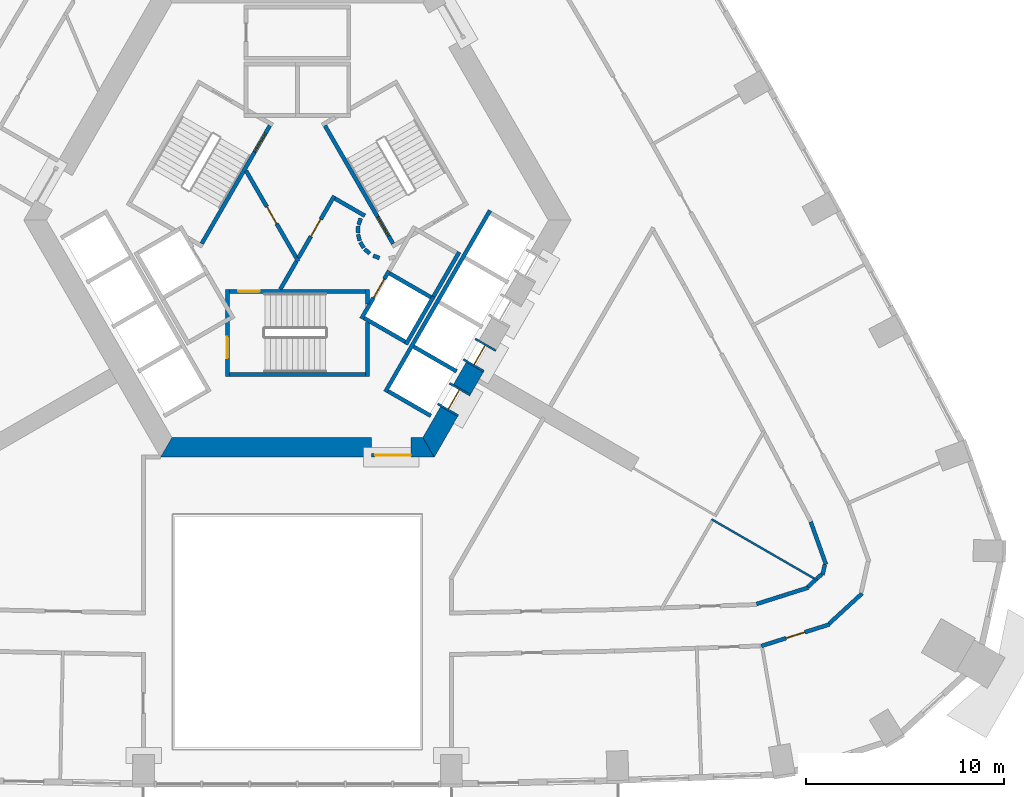
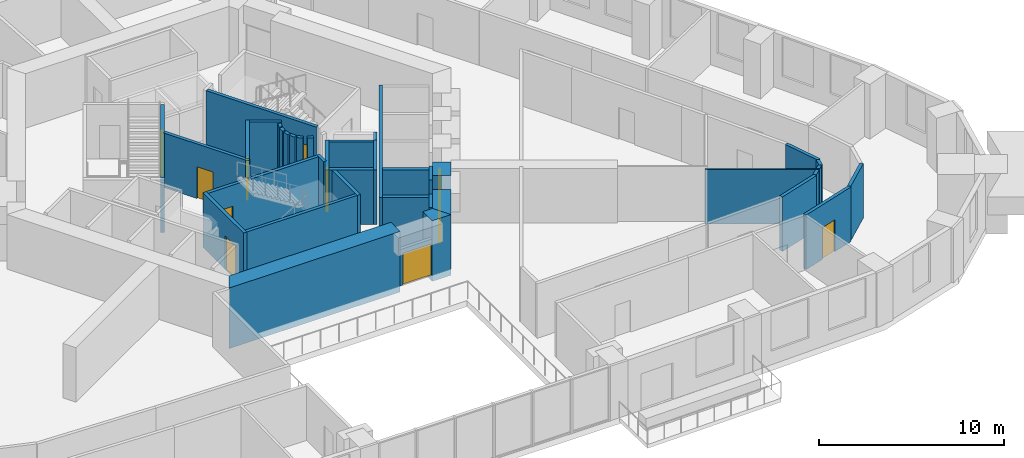
# One storey, part 6 of 14: 40 walls, 11 doors, 11 openings.
"""IFC4 building model written with IfcOpenShell, lengths in metres."""

import ifcopenshell
import ifcopenshell.guid

model = None  # the IFC model being written
_history = None  # IfcOwnerHistory: only IFC2X3 demands one
_inside = {}  # id of a spatial element -> (the spatial element, [elements in it])
_under = {}  # id of a project, library or spatial element -> (it, [spatial elements below it])
_declared = {}  # id of a project -> (the project, [libraries it declares])
_typed = {}  # id of a type object -> (the type object, [elements of that type])
_made_of = {}  # id of a material, layer set ... -> (it, [elements and type objects made of it])


def new_model(schema):
    """Start an empty IFC model of exactly this schema.

    Asked for "IFC4X3", IfcOpenShell would pick the latest addendum, in which some entities
    have other attributes; the version numbers below select the first issue.
    IFC2X3 requires an IfcOwnerHistory on every rooted entity: one is made here for all.
    """
    global model, _history
    if schema == "IFC4X3":
        model = ifcopenshell.file(schema_version=(4, 3, 0, 0))
    else:
        model = ifcopenshell.file(schema=schema)
    _inside.clear()
    _under.clear()
    _declared.clear()
    _typed.clear()
    _made_of.clear()
    _history = None
    if model.schema == "IFC2X3":
        org = make("IfcOrganization", Name="unknown")
        user = make(
            "IfcPersonAndOrganization",
            ThePerson=make("IfcPerson", FamilyName="unknown"),
            TheOrganization=org,
        )
        app = make(
            "IfcApplication",
            ApplicationDeveloper=org,
            Version="unknown",
            ApplicationFullName="unknown",
            ApplicationIdentifier="unknown",
        )
        _history = make(
            "IfcOwnerHistory",
            OwningUser=user,
            OwningApplication=app,
            ChangeAction="ADDED",
            CreationDate=0,
        )
    return model


def make(cls, **values):
    """One entity of the class cls with the attributes given. An attribute that is None is left unset."""
    return model.create_entity(
        cls, **{name: value for name, value in values.items() if value is not None}
    )


def rooted(cls, **values):
    """An entity with a GlobalId (a new one), such as an element, a storey or a relation."""
    return make(cls, GlobalId=ifcopenshell.guid.new(), OwnerHistory=_history, **values)


def si_unit(unit_type, name, prefix=None):
    """IfcSIUnit, for example si_unit("LENGTHUNIT", "METRE", prefix="MILLI")."""
    return make("IfcSIUnit", UnitType=unit_type, Prefix=prefix, Name=name)


def assignment(units):
    """IfcUnitAssignment: the units of a project."""
    return None if units is None else make("IfcUnitAssignment", Units=units)


def point(xyz):
    """IfcCartesianPoint."""
    return None if xyz is None else make("IfcCartesianPoint", Coordinates=xyz)


def direction(xyz):
    """IfcDirection."""
    return None if xyz is None else make("IfcDirection", DirectionRatios=xyz)


def frame(location, z_axis=None, x_axis=None):
    """IfcAxis2Placement3D, a coordinate frame: its origin and axes. An axis left out is left unset."""
    return make(
        "IfcAxis2Placement3D",
        Location=point(location),
        Axis=direction(z_axis),
        RefDirection=direction(x_axis),
    )


def frame_2d(location, x_axis=None):
    """IfcAxis2Placement2D, a coordinate frame in the plane: its origin and x axis."""
    return make(
        "IfcAxis2Placement2D", Location=point(location), RefDirection=direction(x_axis)
    )


def origin():
    """The frame at (0, 0, 0) with its axes left unset."""
    return frame((0.0, 0.0, 0.0))


def place(relative_to, where):
    """IfcLocalPlacement: puts the frame where relative to a parent placement (None: the world)."""
    return make(
        "IfcLocalPlacement", PlacementRelTo=relative_to, RelativePlacement=where
    )


def context(
    kind, dimensions, precision=None, world=None, true_north=None, identifier=None
):
    """IfcGeometricRepresentationContext, for example the 3D "Model" context."""
    return make(
        "IfcGeometricRepresentationContext",
        ContextIdentifier=identifier,
        ContextType=kind,
        CoordinateSpaceDimension=dimensions,
        Precision=precision,
        WorldCoordinateSystem=world,
        TrueNorth=true_north,
    )


def subcontext(parent, identifier, kind, view, scale=None):
    """IfcGeometricRepresentationSubContext, for example "Body" below "Model"."""
    return make(
        "IfcGeometricRepresentationSubContext",
        ContextIdentifier=identifier,
        ContextType=kind,
        ParentContext=parent,
        TargetScale=scale,
        TargetView=view,
    )


def project(units=None, contexts=None):
    """IfcProject with its units and contexts."""
    return rooted(
        "IfcProject",
        Name="project",
        RepresentationContexts=contexts,
        UnitsInContext=assignment(units),
    )


def spatial(cls, under=None, at=None, **own):
    """A site, building, storey or space (cls), placed at a placement, below another one or the project."""
    s = rooted(cls, ObjectPlacement=at, **own)
    if under is not None:
        _under.setdefault(under.id(), (under, []))[1].append(s)
    return s


def polyline(points):
    """IfcPolyline through the points."""
    return make("IfcPolyline", Points=[point(p) for p in points])


def profile(cls, at=None, kind="AREA", **sizes):
    """A parametric profile (cls). Its sizes go by their IFC names, for example OverallWidth=200.0."""
    return make(cls, ProfileType=kind, Position=at, **sizes)


def rectangle(**sizes):
    """IfcRectangleProfileDef."""
    return profile("IfcRectangleProfileDef", **sizes)


def outline(outer, holes=None, kind="AREA"):
    """IfcArbitraryClosedProfileDef: a profile drawn as a closed curve; with holes, ...WithVoids."""
    if holes is None:
        return make("IfcArbitraryClosedProfileDef", ProfileType=kind, OuterCurve=outer)
    return make(
        "IfcArbitraryProfileDefWithVoids",
        ProfileType=kind,
        OuterCurve=outer,
        InnerCurves=holes,
    )


def extrude(swept, where, along, depth):
    """IfcExtrudedAreaSolid: the profile swept, set in the frame where, extruded along a direction by depth."""
    return make(
        "IfcExtrudedAreaSolid",
        SweptArea=swept,
        Position=where,
        ExtrudedDirection=direction(along),
        Depth=depth,
    )


def shape(context_of_items, identifier, shape_type, items):
    """IfcShapeRepresentation: the items that make up one representation, for example the "Body"."""
    return make(
        "IfcShapeRepresentation",
        ContextOfItems=context_of_items,
        RepresentationIdentifier=identifier,
        RepresentationType=shape_type,
        Items=items,
    )


def material(Name=None, Category=None):
    """IfcMaterial."""
    return make("IfcMaterial", Name=Name, Category=Category)


def layer(
    of_material, thickness, ventilated=None, Name=None, Category=None, Priority=None
):
    """IfcMaterialLayer: one layer of a wall or slab, of a material (None: an air gap)."""
    return make(
        "IfcMaterialLayer",
        Material=of_material,
        LayerThickness=thickness,
        IsVentilated=ventilated,
        Name=Name,
        Category=Category,
        Priority=Priority,
    )


def layer_set(layers, Name=None):
    """IfcMaterialLayerSet."""
    return make("IfcMaterialLayerSet", MaterialLayers=layers, LayerSetName=Name)


def made_of(thing, what):
    """Note that an element or type object is made of a material, layer set ...; save() writes the relation."""
    if what is not None:
        _made_of.setdefault(what.id(), (what, []))[1].append(thing)
    return thing


def type_object(cls, material=None, **own):
    """A type object (cls), such as IfcWallType, which elements share."""
    return made_of(rooted(cls, **own), material)


def element(
    cls,
    number,
    at=None,
    inside=None,
    cuts=None,
    type_object=None,
    material=None,
    context=None,
    identifier="Body",
    shape_type=None,
    held_by="IfcProductDefinitionShape",
    body=None,
    shapes=None,
    **own,
):
    """One element of the class cls, such as IfcWall. Its Tag is "e" and its number.

    at: its placement. inside: the storey or other place that contains it. cuts: it is an
    opening in that element (IfcRelVoidsElement). A single representation is given by context,
    identifier, shape_type and body (its items); several are given by shapes. held_by: the class
    of the entity that holds the representations. save() writes the other relations.
    """
    e = rooted(cls, Tag="e%d" % number, ObjectPlacement=at, **own)
    if body is not None:
        shapes = [shape(context, identifier, shape_type, body)]
    if shapes is not None:
        e.Representation = make(held_by, Representations=shapes)
    if inside is not None:
        _inside.setdefault(inside.id(), (inside, []))[1].append(e)
    if cuts is not None:
        rooted(
            "IfcRelVoidsElement", RelatingBuildingElement=cuts, RelatedOpeningElement=e
        )
    if type_object is not None:
        _typed.setdefault(type_object.id(), (type_object, []))[1].append(e)
    return made_of(e, material)


def fill(opening, filler):
    """IfcRelFillsElement: the door or window that sits in an opening."""
    return rooted(
        "IfcRelFillsElement",
        RelatingOpeningElement=opening,
        RelatedBuildingElement=filler,
    )


def aggregate(whole, parts):
    """IfcRelAggregates: a whole, such as a stair, and the parts it consists of."""
    return rooted("IfcRelAggregates", RelatingObject=whole, RelatedObjects=parts)


def save(model, path):
    """Write the relations noted so far, then the file.

    IfcRelAggregates (storeys below a building ...), IfcRelContainedInSpatialStructure (elements
    in a storey), IfcRelDefinesByType, IfcRelAssociatesMaterial and IfcRelDeclares: one each for
    every whole, place, type object, material and project.
    """
    for whole, parts in _under.values():
        aggregate(whole, parts)
    for where, things in _inside.values():
        rooted(
            "IfcRelContainedInSpatialStructure",
            RelatedElements=things,
            RelatingStructure=where,
        )
    for kind, things in _typed.values():
        rooted("IfcRelDefinesByType", RelatedObjects=things, RelatingType=kind)
    for what, things in _made_of.values():
        rooted("IfcRelAssociatesMaterial", RelatedObjects=things, RelatingMaterial=what)
    for by, libraries in _declared.values():
        rooted("IfcRelDeclares", RelatingContext=by, RelatedDefinitions=libraries)
    model.write(path)


model = new_model("IFC4")

# Units and contexts
model_context = context("Model", 3, precision=1e-05, world=origin(), true_north=direction((0.0, 1.0)))
body_context = subcontext(model_context, "Body", "Model", "MODEL_VIEW")
ifc_project = project(units=[si_unit("LENGTHUNIT", "METRE"), si_unit("AREAUNIT", "SQUARE_METRE"), si_unit("VOLUMEUNIT", "CUBIC_METRE"), si_unit("PLANEANGLEUNIT", "RADIAN"), si_unit("MASSUNIT", "GRAM", prefix="KILO")], contexts=[model_context])

# Site, building, storey
site_placement = place(None, origin())
site = spatial("IfcSite", under=ifc_project, at=site_placement, CompositionType="ELEMENT")
building_placement = place(site_placement, origin())
building = spatial("IfcBuilding", under=site, at=building_placement, Name="Entoto Arch Interchange Tower", CompositionType="ELEMENT")
storey_placement = place(building_placement, frame((0.0, 0.0, 180.199951171875)))
storey = spatial("IfcBuildingStorey", under=building, at=storey_placement, Name="L40", CompositionType="ELEMENT", Elevation=180.199951171875)

# Wall, opening, door
ifc_material_1 = material(Name="Reinforced concrete C40/50", Category="concrete")
ifc_layer_1 = layer(ifc_material_1, 0.199951171875)
ifc_layer_set_1 = layer_set([ifc_layer_1], Name="Reinforced concrete C40/50")
wall_type_1 = type_object("IfcWallType", Name="CORE GAP INFILL WALL", PredefinedType="PARTITIONING", material=ifc_layer_set_1)
wall_1_placement = place(storey_placement, frame((3.75, -9.39990234375, 0.0), z_axis=(0.0, 0.0, 1.0), x_axis=(1.0, 0.0, 0.0)))
wall_1 = element("IfcWall", 1, at=wall_1_placement, inside=storey, type_object=wall_type_1, Name="wall:L40:gap1", PredefinedType="PARTITIONING", context=body_context, shape_type="SweptSolid", body=[
    extrude(rectangle(XDim=2.0, YDim=0.199951171875, at=frame_2d((1.0, 0.0))), origin(), (0.0, 0.0, 1.0), 2.400146484375),
])
opening_1_placement = place(wall_1_placement, frame((0.18994140625, 0.0, 0.0)))
opening_1 = element("IfcOpeningElement", 2, at=opening_1_placement, cuts=wall_1, Name="Opening L40-D91", PredefinedType="OPENING", context=body_context, shape_type="SweptSolid", body=[
    extrude(rectangle(XDim=1.800048828125, YDim=2.10009765625, at=frame_2d((0.89990234375, 1.050048828125))), frame((0.0, 0.10986328125, 0.0), z_axis=(0.0, -1.0, 0.0), x_axis=(1.0, 0.0, 0.0)), (0.0, 0.0, 1.0), 0.219970703125),
])
ifc_material_2 = material(Name="Fire-rated Steel S235 door and frame", Category="steel")
door_type_1 = type_object("IfcDoorType", Name="DOOR FD-18 1800x2100", OperationType="DOUBLE_DOOR_SINGLE_SWING", PredefinedType="DOOR", material=ifc_material_2)
door_1_placement = place(opening_1_placement, origin())
door_1 = element("IfcDoor", 3, at=door_1_placement, inside=storey, type_object=door_type_1, Name="door:L40:gap1", OperationType="DOUBLE_DOOR_SINGLE_SWING", OverallHeight=2.10009765625, OverallWidth=1.800048828125, PredefinedType="DOOR", context=body_context, shape_type="SweptSolid", body=[
    extrude(rectangle(XDim=1.800048828125, YDim=2.10009765625, at=frame_2d((0.89990234375, 1.050048828125))), frame((0.0, 0.02490234375, 0.0), z_axis=(0.0, -1.0, 0.0), x_axis=(1.0, 0.0, 0.0)), (0.0, 0.0, 1.0), 0.050048828125),
])
fill(opening_1, door_1)

# Walls
ifc_material_3 = material(Name="Concrete C50/60", Category="concrete")
ifc_layer_2 = layer(ifc_material_3, 1.0)
ifc_layer_set_2 = layer_set([ifc_layer_2], Name="Concrete C50/60")
wall_type_2 = type_object("IfcWallType", Name="Core wall 1000 C50/60", PredefinedType="SHEAR", material=ifc_layer_set_2)
wall_2_placement = place(storey_placement, frame((0.0, 0.0, -0.39990234375)))
element("IfcWall", 4, at=wall_2_placement, inside=storey, type_object=wall_type_2, Name="Core wall S L40", PredefinedType="SHEAR", context=body_context, shape_type="SweptSolid", body=[
    extrude(outline(polyline([(3.75, -9.5), (3.75, -8.5), (-6.35107421875, -8.5), (-6.927978515625, -9.5), (3.75, -9.5)])), origin(), (0.0, 0.0, 1.0), 4.0),
])
wall_3_placement = place(storey_placement, frame((0.0, 0.0, -0.39990234375)))
element("IfcWall", 5, at=wall_3_placement, inside=storey, type_object=wall_type_2, Name="Core wall S L40", PredefinedType="SHEAR", context=body_context, shape_type="SweptSolid", body=[
    extrude(outline(polyline([(5.75, -8.5), (5.75, -9.5), (6.927978515625, -9.5), (6.35107421875, -8.5), (5.75, -8.5)])), origin(), (0.0, 0.0, 1.0), 4.0),
])
wall_4_placement = place(storey_placement, frame((0.0, 0.0, -0.39990234375)))
element("IfcWall", 6, at=wall_4_placement, inside=storey, type_object=wall_type_2, Name="Core wall SE L40", PredefinedType="SHEAR", context=body_context, shape_type="SweptSolid", body=[
    extrude(outline(polyline([(8.116943359375, -7.43994140625), (7.251953125, -6.93994140625), (6.35107421875, -8.5), (6.927978515625, -9.5), (8.116943359375, -7.43994140625)])), origin(), (0.0, 0.0, 1.0), 4.0),
])
wall_5_placement = place(storey_placement, frame((0.0, 0.0, -0.39990234375)))
element("IfcWall", 7, at=wall_5_placement, inside=storey, type_object=wall_type_2, Name="Core wall SE L40", PredefinedType="SHEAR", context=body_context, shape_type="SweptSolid", body=[
    extrude(outline(polyline([(9.4169921875, -5.18896484375), (8.551025390625, -4.68896484375), (7.902099609375, -5.81396484375), (8.76708984375, -6.31396484375), (9.4169921875, -5.18896484375)])), origin(), (0.0, 0.0, 1.0), 4.0),
])

# Wall, opening, door
ifc_material_4 = material(Name="Concrete C40/50", Category="concrete")
ifc_layer_3 = layer(ifc_material_4, 1.199951171875)
ifc_layer_set_3 = layer_set([ifc_layer_3], Name="Concrete C40/50")
wall_type_3 = type_object("IfcWallType", Name="LIFT LANDING INFILL WALL", PredefinedType="STANDARD", material=ifc_layer_set_3)
wall_6_placement = place(storey_placement, frame((7.597900390625, -7.139892578125, 0.0), z_axis=(0.0, 0.0, 1.0), x_axis=(0.500362116554, 0.865816234728, 0.0)))
wall_6 = element("IfcWall", 8, at=wall_6_placement, inside=storey, type_object=wall_type_3, Name="Lift landing infill wall LR5 L40", PredefinedType="STANDARD", context=body_context, shape_type="SweptSolid", body=[
    extrude(rectangle(XDim=1.29931640625, YDim=1.199951171875, at=frame_2d((0.649658203125, 0.0))), origin(), (0.0, 0.0, 1.0), 2.400146484375),
])
opening_2_placement = place(wall_6_placement, frame((0.10009765625, 0.0, 0.0)))
opening_2 = element("IfcOpeningElement", 9, at=opening_2_placement, cuts=wall_6, Name="Opening LD-LR5-L40", PredefinedType="OPENING", context=body_context, shape_type="SweptSolid", body=[
    extrude(rectangle(XDim=1.10009765625, YDim=2.300048828125, at=frame_2d((0.550048828125, 1.14990234375))), frame((0.0, 0.60986328125, 0.0), z_axis=(0.0, -1.0, 0.0), x_axis=(1.0, 0.0, 0.0)), (0.0, 0.0, 1.0), 1.219970703125),
])
ifc_material_5 = material(Name="Stainless steel 1.4301 panels", Category="steel")
door_type_2 = type_object("IfcDoorType", Name="LIFT LANDING DOOR LD2 1100x2300", OperationType="SLIDING_TO_LEFT", PredefinedType="DOOR", material=ifc_material_5)
door_2_placement = place(opening_2_placement, origin())
door_2 = element("IfcDoor", 10, at=door_2_placement, inside=storey, type_object=door_type_2, Name="Lift landing door LR5 L40", OperationType="SLIDING_TO_LEFT", OverallHeight=2.300048828125, OverallWidth=1.10009765625, PredefinedType="DOOR", context=body_context, shape_type="SweptSolid", body=[
    extrude(rectangle(XDim=1.10009765625, YDim=2.300048828125, at=frame_2d((0.550048828125, 1.14990234375))), frame((0.0, 0.02490234375, 0.0), z_axis=(0.0, -1.0, 0.0), x_axis=(1.0, 0.0, 0.0)), (0.0, 0.0, 1.0), 0.050048828125),
])
fill(opening_2, door_2)

wall_7_placement = place(storey_placement, frame((8.89794921875, -4.888916015625, 0.0), z_axis=(0.0, 0.0, 1.0), x_axis=(0.500036693733, 0.866004217611, 0.0)))
wall_7 = element("IfcWall", 11, at=wall_7_placement, inside=storey, type_object=wall_type_3, Name="Lift landing infill wall LR6 L40", PredefinedType="STANDARD", context=body_context, shape_type="SweptSolid", body=[
    extrude(rectangle(XDim=1.30029296875, YDim=1.199951171875, at=frame_2d((0.650146484375, 0.0))), origin(), (0.0, 0.0, 1.0), 2.400146484375),
])
opening_3_placement = place(wall_7_placement, frame((0.10009765625, 0.0, 0.0)))
opening_3 = element("IfcOpeningElement", 12, at=opening_3_placement, cuts=wall_7, Name="Opening LD-LR6-L40", PredefinedType="OPENING", context=body_context, shape_type="SweptSolid", body=[
    extrude(rectangle(XDim=1.10009765625, YDim=2.300048828125, at=frame_2d((0.550048828125, 1.14990234375))), frame((0.0, 0.60986328125, 0.0), z_axis=(0.0, -1.0, 0.0), x_axis=(1.0, 0.0, 0.0)), (0.0, 0.0, 1.0), 1.219970703125),
])
door_3_placement = place(opening_3_placement, origin())
door_3 = element("IfcDoor", 13, at=door_3_placement, inside=storey, type_object=door_type_2, Name="Lift landing door LR6 L40", OperationType="SLIDING_TO_LEFT", OverallHeight=2.300048828125, OverallWidth=1.10009765625, PredefinedType="DOOR", context=body_context, shape_type="SweptSolid", body=[
    extrude(rectangle(XDim=1.10009765625, YDim=2.300048828125, at=frame_2d((0.550048828125, 1.14990234375))), frame((0.0, 0.02490234375, 0.0), z_axis=(0.0, -1.0, 0.0), x_axis=(1.0, 0.0, 0.0)), (0.0, 0.0, 1.0), 0.050048828125),
])
fill(opening_3, door_3)

ifc_layer_4 = layer(ifc_material_4, 0.199951171875)
ifc_layer_set_4 = layer_set([ifc_layer_4], Name="Concrete C40/50")
wall_type_4 = type_object("IfcWallType", Name="LIFT SHAFT WALL 200", PredefinedType="STANDARD", material=ifc_layer_set_4)
wall_8_placement = place(storey_placement, frame((3.239990234375, -2.488037109375, 0.0), z_axis=(0.0, 0.0, 1.0), x_axis=(0.49994636267, 0.866056369097, 0.0)))
wall_8 = element("IfcWall", 14, at=wall_8_placement, inside=storey, type_object=wall_type_4, Name="Shaft wall SE1 front", PredefinedType="STANDARD", context=body_context, shape_type="SweptSolid", body=[
    extrude(rectangle(XDim=2.800048828125, YDim=0.199951171875, at=frame_2d((1.39990234375, 0.0))), origin(), (0.0, 0.0, 1.0), 3.60009765625),
])
opening_4_placement = place(wall_8_placement, frame((1.22509765625, 0.0, 0.0)))
opening_4 = element("IfcOpeningElement", 15, at=opening_4_placement, cuts=wall_8, Name="Opening LD-FF1-L40", PredefinedType="OPENING", context=body_context, shape_type="SweptSolid", body=[
    extrude(rectangle(XDim=1.10009765625, YDim=2.10009765625, at=frame_2d((0.550048828125, 1.050048828125))), frame((0.0, 0.10986328125, 0.0), z_axis=(0.0, -1.0, 0.0), x_axis=(1.0, 0.0, 0.0)), (0.0, 0.0, 1.0), 0.219970703125),
])
door_type_3 = type_object("IfcDoorType", Name="LIFT LANDING DOOR LD1 1100x2100", OperationType="SLIDING_TO_LEFT", PredefinedType="DOOR", material=ifc_material_5)
door_4_placement = place(opening_4_placement, origin())
door_4 = element("IfcDoor", 16, at=door_4_placement, inside=storey, type_object=door_type_3, Name="Lift landing door FF1 L40", OperationType="SLIDING_TO_LEFT", OverallHeight=2.10009765625, OverallWidth=1.10009765625, PredefinedType="DOOR", context=body_context, shape_type="SweptSolid", body=[
    extrude(rectangle(XDim=1.10009765625, YDim=2.10009765625, at=frame_2d((0.550048828125, 1.050048828125))), frame((0.0, 0.02490234375, 0.0), z_axis=(0.0, -1.0, 0.0), x_axis=(1.0, 0.0, 0.0)), (0.0, 0.0, 1.0), 0.050048828125),
])
fill(opening_4, door_4)

# Walls
wall_9_placement = place(storey_placement, frame((5.491943359375, -3.7880859375, 0.0), z_axis=(0.0, 0.0, 1.0), x_axis=(0.500011755427, 0.866018616679, 0.0)))
element("IfcWall", 17, at=wall_9_placement, inside=storey, type_object=wall_type_4, Name="Shaft wall SE1 back", PredefinedType="STANDARD", context=body_context, shape_type="SweptSolid", body=[
    extrude(rectangle(XDim=2.80029296875, YDim=0.199951171875, at=frame_2d((1.400146484375, 0.0))), origin(), (0.0, 0.0, 1.0), 3.60009765625),
])
wall_10_placement = place(storey_placement, frame((3.376953125, -2.451904296875, 0.0), z_axis=(0.0, 0.0, 1.0), x_axis=(0.865955154139, -0.50012165622, 0.0)))
element("IfcWall", 18, at=wall_10_placement, inside=storey, type_object=wall_type_4, Name="Shaft wall SE1 cross 1", PredefinedType="STANDARD", context=body_context, shape_type="SweptSolid", body=[
    extrude(rectangle(XDim=2.39990234375, YDim=0.199951171875, at=frame_2d((1.199951171875, 0.0))), origin(), (0.0, 0.0, 1.0), 3.60009765625),
])
wall_11_placement = place(storey_placement, frame((4.677001953125, -0.199951171875, 0.0), z_axis=(0.0, 0.0, 1.0), x_axis=(0.865973769406, -0.500089422704, 0.0)))
element("IfcWall", 19, at=wall_11_placement, inside=storey, type_object=wall_type_4, Name="Shaft wall SE1 cross 2", PredefinedType="STANDARD", context=body_context, shape_type="SweptSolid", body=[
    extrude(rectangle(XDim=2.3994140625, YDim=0.199951171875, at=frame_2d((1.19970703125, 0.0))), origin(), (0.0, 0.0, 1.0), 3.60009765625),
])
wall_12_placement = place(storey_placement, frame((4.450927734375, -6.18994140625, 0.0), z_axis=(0.0, 0.0, 1.0), x_axis=(0.50000090737, 0.866024879913, 0.0)))
element("IfcWall", 20, at=wall_12_placement, inside=storey, type_object=wall_type_4, Name="Shaft wall SE3 front", PredefinedType="STANDARD", context=body_context, shape_type="SweptSolid", body=[
    extrude(rectangle(XDim=10.60009765625, YDim=0.199951171875, at=frame_2d((5.300048828125, 0.0))), origin(), (0.0, 0.0, 1.0), 3.60009765625),
])
for number, where, z_axis, x_axis, name in (
    (21, (4.587890625, -6.153076171875, 0.0), (0.0, 0.0, 1.0), (0.866022959057, -0.500004234368, 0.0), "Shaft wall SE3 cross 1"),
    (22, (5.887939453125, -3.902099609375, 0.0), (0.0, 0.0, 1.0), (0.866022959057, -0.500004234368, 0.0), "Shaft wall SE3 cross 2"),
):
    element("IfcWall", number, at=place(storey_placement, frame(where, z_axis=z_axis, x_axis=x_axis)), inside=storey, type_object=wall_type_4, Name=name, PredefinedType="STANDARD", context=body_context, shape_type="SweptSolid", body=[
        extrude(rectangle(XDim=2.5, YDim=0.199951171875, at=frame_2d((1.25, 0.0))), origin(), (0.0, 0.0, 1.0), 3.60009765625),
    ])
wall_13_placement = place(storey_placement, frame((6.7919921875, -1.537109375, 0.0), z_axis=(0.0, 0.0, 1.0), x_axis=(0.49994636267, 0.866056369097, 0.0)))
element("IfcWall", 23, at=wall_13_placement, inside=storey, type_object=wall_type_4, Name="Pit wall HR3 2", PredefinedType="STANDARD", context=body_context, shape_type="SweptSolid", body=[
    extrude(rectangle(XDim=2.800048828125, YDim=0.199951171875, at=frame_2d((1.39990234375, 0.0))), origin(), (0.0, 0.0, 1.0), 2.300048828125),
])
ifc_material_6 = material(Name="Gypsum board partition on steel studs", Category="steel")
ifc_layer_5 = layer(ifc_material_6, 0.10009765625)
ifc_layer_set_5 = layer_set([ifc_layer_5], Name="Gypsum board partition on steel studs")
wall_type_5 = type_object("IfcWallType", Name="PARTITION 100", PredefinedType="PARTITIONING", material=ifc_layer_set_5)
wall_14_placement = place(storey_placement, frame((20.964111328125, -12.637939453125, 0.0), z_axis=(0.0, 0.0, 1.0), x_axis=(0.865981737723, -0.500075624211, 0.0)))
element("IfcWall", 24, at=wall_14_placement, inside=storey, type_object=wall_type_5, Name="wall:L40:p111", PredefinedType="PARTITIONING", context=body_context, shape_type="SweptSolid", body=[
    extrude(rectangle(XDim=6.203125, YDim=0.10009765625, at=frame_2d((3.1015625, 0.0))), origin(), (0.0, 0.0, 1.0), 3.60009765625),
])
ifc_layer_6 = layer(ifc_material_6, 0.199951171875)
ifc_layer_set_6 = layer_set([ifc_layer_6], Name="Gypsum board partition on steel studs")
wall_type_6 = type_object("IfcWallType", Name="PARTITION 200", PredefinedType="PARTITIONING", material=ifc_layer_set_6)
wall_15_placement = place(storey_placement, frame((23.2490234375, -16.929931640625, 0.0), z_axis=(0.0, 0.0, 1.0), x_axis=(0.953158072423, 0.302472625167, 0.0)))
element("IfcWall", 25, at=wall_15_placement, inside=storey, type_object=wall_type_6, Name="wall:L40:p026", PredefinedType="PARTITIONING", context=body_context, shape_type="SweptSolid", body=[
    extrude(rectangle(XDim=2.743408203125, YDim=0.199951171875, at=frame_2d((1.37158203125, 0.0))), origin(), (0.0, 0.0, 1.0), 3.60009765625),
])
wall_16_placement = place(storey_placement, frame((25.842041015625, -16.06298828125, 0.0), z_axis=(0.0, 0.0, 1.0), x_axis=(0.738222400631, 0.674557400972, 0.0)))
element("IfcWall", 26, at=wall_16_placement, inside=storey, type_object=wall_type_6, Name="wall:L40:p027", PredefinedType="PARTITIONING", context=body_context, shape_type="SweptSolid", body=[
    extrude(rectangle(XDim=0.50244140625, YDim=0.199951171875, at=frame_2d((0.251220703125, 0.0))), origin(), (0.0, 0.0, 1.0), 3.60009765625),
])
wall_17_placement = place(storey_placement, frame((26.285888671875, -15.656005859375, 0.0), z_axis=(0.0, 0.0, 1.0), x_axis=(0.73763613927, 0.675198434568, 0.0)))
element("IfcWall", 27, at=wall_17_placement, inside=storey, type_object=wall_type_6, Name="wall:L40:p028", PredefinedType="PARTITIONING", context=body_context, shape_type="SweptSolid", body=[
    extrude(rectangle(XDim=0.336181640625, YDim=0.199951171875, at=frame_2d((0.16796875, 0.0))), origin(), (0.0, 0.0, 1.0), 3.60009765625),
])
wall_18_placement = place(storey_placement, frame((26.5859375, -15.458984375, 0.0), z_axis=(0.0, 0.0, 1.0), x_axis=(0.215832999607, 0.976430292586, 0.0)))
element("IfcWall", 28, at=wall_18_placement, inside=storey, type_object=wall_type_6, Name="wall:L40:p029", PredefinedType="PARTITIONING", context=body_context, shape_type="SweptSolid", body=[
    extrude(rectangle(XDim=0.541748046875, YDim=0.199951171875, at=frame_2d((0.27099609375, 0.0))), origin(), (0.0, 0.0, 1.0), 3.60009765625),
])
wall_19_placement = place(storey_placement, frame((26.758056640625, -14.926025390625, 0.0), z_axis=(0.0, 0.0, 1.0), x_axis=(-0.33645112914, 0.941700927949, 0.0)))
element("IfcWall", 29, at=wall_19_placement, inside=storey, type_object=wall_type_6, Name="wall:L40:p030", PredefinedType="PARTITIONING", context=body_context, shape_type="SweptSolid", body=[
    extrude(rectangle(XDim=2.29150390625, YDim=0.199951171875, at=frame_2d((1.145751953125, 0.0))), origin(), (0.0, 0.0, 1.0), 3.60009765625),
])
wall_20_placement = place(storey_placement, frame((28.587890625, -16.39501953125, 0.0), z_axis=(0.0, 0.0, 1.0), x_axis=(-0.737118331834, -0.675763690112, 0.0)))
element("IfcWall", 30, at=wall_20_placement, inside=storey, type_object=wall_type_6, Name="wall:L40:p047", PredefinedType="PARTITIONING", context=body_context, shape_type="SweptSolid", body=[
    extrude(rectangle(XDim=2.26416015625, YDim=0.199951171875, at=frame_2d((1.132080078125, 0.0))), origin(), (0.0, 0.0, 1.0), 3.60009765625),
])

# Wall, opening, door
wall_21_placement = place(storey_placement, frame((26.93994140625, -17.9619140625, 0.0), z_axis=(0.0, 0.0, 1.0), x_axis=(-0.953197442309, -0.302348533941, 0.0)))
wall_21 = element("IfcWall", 31, at=wall_21_placement, inside=storey, type_object=wall_type_6, Name="wall:L40:p048", PredefinedType="PARTITIONING", context=body_context, shape_type="SweptSolid", body=[
    extrude(rectangle(XDim=3.618408203125, YDim=0.199951171875, at=frame_2d((1.80908203125, 0.0))), origin(), (0.0, 0.0, 1.0), 3.60009765625),
])
opening_5_placement = place(wall_21_placement, frame((1.30908203125, 0.0, 0.0)))
opening_5 = element("IfcOpeningElement", 32, at=opening_5_placement, cuts=wall_21, Name="Opening L40-D03", PredefinedType="OPENING", context=body_context, shape_type="SweptSolid", body=[
    extrude(rectangle(XDim=1.0, YDim=2.10009765625, at=frame_2d((0.5, 1.050048828125))), frame((0.0, 0.10986328125, 0.0), z_axis=(0.0, -1.0, 0.0), x_axis=(1.0, 0.0, 0.0)), (0.0, 0.0, 1.0), 0.219970703125),
])
ifc_material_7 = material(Name="Timber door leaf in Steel S235 frame", Category="steel")
door_type_4 = type_object("IfcDoorType", Name="DOOR DS-10 1000x2100", OperationType="SINGLE_SWING_LEFT", PredefinedType="DOOR", material=ifc_material_7)
door_5_placement = place(opening_5_placement, origin())
door_5 = element("IfcDoor", 33, at=door_5_placement, inside=storey, type_object=door_type_4, Name="door:L40:03", OperationType="SINGLE_SWING_LEFT", OverallHeight=2.10009765625, OverallWidth=1.0, PredefinedType="DOOR", context=body_context, shape_type="SweptSolid", body=[
    extrude(rectangle(XDim=1.0, YDim=2.10009765625, at=frame_2d((0.5, 1.050048828125))), frame((0.0, 0.02490234375, 0.0), z_axis=(0.0, -1.0, 0.0), x_axis=(1.0, 0.0, 0.0)), (0.0, 0.0, 1.0), 0.050048828125),
])
fill(opening_5, door_5)

# Wall
wall_22_placement = place(storey_placement, frame((-0.865966796875, -1.0, 0.0), z_axis=(0.0, 0.0, 1.0), x_axis=(0.500033287521, 0.866006184372, 0.0)))
element("IfcWall", 34, at=wall_22_placement, inside=storey, type_object=wall_type_6, Name="wall:L40:p085", PredefinedType="PARTITIONING", context=body_context, shape_type="SweptSolid", body=[
    extrude(rectangle(XDim=1.6318359375, YDim=0.199951171875, at=frame_2d((0.81591796875, 0.0))), origin(), (0.0, 0.0, 1.0), 3.60009765625),
])

# Wall, opening, door
wall_23_placement = place(storey_placement, frame((0.050048828125, 0.5869140625, 0.0), z_axis=(0.0, 0.0, 1.0), x_axis=(0.500028932171, 0.866008699143, 0.0)))
wall_23 = element("IfcWall", 35, at=wall_23_placement, inside=storey, type_object=wall_type_6, Name="wall:L40:p086", PredefinedType="PARTITIONING", context=body_context, shape_type="SweptSolid", body=[
    extrude(rectangle(XDim=3.631591796875, YDim=0.199951171875, at=frame_2d((1.81591796875, 0.0))), origin(), (0.0, 0.0, 1.0), 3.60009765625),
])
opening_6_placement = place(wall_23_placement, frame((1.26611328125, 0.0, 0.0)))
opening_6 = element("IfcOpeningElement", 36, at=opening_6_placement, cuts=wall_23, Name="Opening L40-D30", PredefinedType="OPENING", context=body_context, shape_type="SweptSolid", body=[
    extrude(rectangle(XDim=1.0, YDim=2.10009765625, at=frame_2d((0.5, 1.050048828125))), frame((0.0, 0.10986328125, 0.0), z_axis=(0.0, -1.0, 0.0), x_axis=(1.0, 0.0, 0.0)), (0.0, 0.0, 1.0), 0.219970703125),
])
door_type_5 = type_object("IfcDoorType", Name="DOOR FD-10 1000x2100", OperationType="SINGLE_SWING_LEFT", PredefinedType="DOOR", material=ifc_material_2)
door_6_placement = place(opening_6_placement, origin())
door_6 = element("IfcDoor", 37, at=door_6_placement, inside=storey, type_object=door_type_5, Name="door:L40:30", OperationType="SINGLE_SWING_RIGHT", OverallHeight=2.10009765625, OverallWidth=1.0, PredefinedType="DOOR", context=body_context, shape_type="SweptSolid", body=[
    extrude(rectangle(XDim=1.0, YDim=2.10009765625, at=frame_2d((0.5, 1.050048828125))), frame((0.0, 0.02490234375, 0.0), z_axis=(0.0, -1.0, 0.0), x_axis=(1.0, 0.0, 0.0)), (0.0, 0.0, 1.0), 0.050048828125),
])
fill(opening_6, door_6)

# Walls
wall_24_placement = place(storey_placement, frame((1.903076171875, 3.594970703125, 0.0), z_axis=(0.0, 0.0, 1.0), x_axis=(0.866239139897, -0.499629615326, 0.0)))
element("IfcWall", 38, at=wall_24_placement, inside=storey, type_object=wall_type_6, Name="wall:L40:p087", PredefinedType="PARTITIONING", context=body_context, shape_type="SweptSolid", body=[
    extrude(rectangle(XDim=1.745361328125, YDim=0.199951171875, at=frame_2d((0.87255859375, 0.0))), origin(), (0.0, 0.0, 1.0), 3.60009765625),
])
wall_25_placement = place(storey_placement, frame((3.2080078125, 2.592041015625, 0.0), z_axis=(0.0, 0.0, 1.0), x_axis=(-0.337388820924, -0.941365382578, 0.0)))
element("IfcWall", 39, at=wall_25_placement, inside=storey, type_object=wall_type_6, Name="wall:L40:p088", PredefinedType="PARTITIONING", context=body_context, shape_type="SweptSolid", body=[
    extrude(rectangle(XDim=0.337890625, YDim=0.199951171875, at=frame_2d((0.1689453125, 0.0))), origin(), (0.0, 0.0, 1.0), 3.60009765625),
])
wall_26_placement = place(storey_placement, frame((3.0791015625, 2.198974609375, 0.0), z_axis=(0.0, 0.0, 1.0), x_axis=(-0.047771483479, -0.998858290933, 0.0)))
element("IfcWall", 40, at=wall_26_placement, inside=storey, type_object=wall_type_6, Name="wall:L40:p089", PredefinedType="PARTITIONING", context=body_context, shape_type="SweptSolid", body=[
    extrude(rectangle(XDim=0.33740234375, YDim=0.199951171875, at=frame_2d((0.168701171875, 0.0))), origin(), (0.0, 0.0, 1.0), 3.60009765625),
])
wall_27_placement = place(storey_placement, frame((3.070068359375, 1.785888671875, 0.0), z_axis=(0.0, 0.0, 1.0), x_axis=(0.242705583207, -0.970099994784, 0.0)))
element("IfcWall", 41, at=wall_27_placement, inside=storey, type_object=wall_type_6, Name="wall:L40:p090", PredefinedType="PARTITIONING", context=body_context, shape_type="SweptSolid", body=[
    extrude(rectangle(XDim=0.337890625, YDim=0.199951171875, at=frame_2d((0.1689453125, 0.0))), origin(), (0.0, 0.0, 1.0), 3.60009765625),
])
for number, where, z_axis, x_axis, name in (
    (42, (3.181884765625, 1.387939453125, 0.0), (0.0, 0.0, 1.0), (0.512474702713, -0.85870232274, 0.0), "wall:L40:p091"),
    (43, (3.404052734375, 1.0390625, 0.0), (0.0, 0.0, 1.0), (0.740267097712, -0.672312891476, 0.0), "wall:L40:p092"),
):
    element("IfcWall", number, at=place(storey_placement, frame(where, z_axis=z_axis, x_axis=x_axis)), inside=storey, type_object=wall_type_6, Name=name, PredefinedType="PARTITIONING", context=body_context, shape_type="SweptSolid", body=[
        extrude(rectangle(XDim=0.337646484375, YDim=0.199951171875, at=frame_2d((0.1689453125, 0.0))), origin(), (0.0, 0.0, 1.0), 3.60009765625),
    ])
wall_28_placement = place(storey_placement, frame((3.837890625, 0.701904296875, 0.0), z_axis=(0.0, 0.0, 1.0), x_axis=(0.941035081519, -0.338308993895, 0.0)))
element("IfcWall", 44, at=wall_28_placement, inside=storey, type_object=wall_type_6, Name="wall:L40:p093", PredefinedType="PARTITIONING", context=body_context, shape_type="SweptSolid", body=[
    extrude(rectangle(XDim=0.3369140625, YDim=0.199951171875, at=frame_2d((0.16845703125, 0.0))), origin(), (0.0, 0.0, 1.0), 3.60009765625),
])

# Wall, opening, door
wall_29_placement = place(storey_placement, frame((-2.597900390625, 5.0, 0.0), z_axis=(0.0, 0.0, 1.0), x_axis=(0.49995654735, -0.86605048973, 0.0)))
wall_29 = element("IfcWall", 45, at=wall_29_placement, inside=storey, type_object=wall_type_6, Name="wall:L40:p095", PredefinedType="PARTITIONING", context=body_context, shape_type="SweptSolid", body=[
    extrude(rectangle(XDim=5.29638671875, YDim=0.199951171875, at=frame_2d((2.648193359375, 0.0))), origin(), (0.0, 0.0, 1.0), 3.60009765625),
])
opening_7_placement = place(wall_29_placement, frame((2.097900390625, 0.0, 0.0)))
opening_7 = element("IfcOpeningElement", 46, at=opening_7_placement, cuts=wall_29, Name="Opening L40-D31", PredefinedType="OPENING", context=body_context, shape_type="SweptSolid", body=[
    extrude(rectangle(XDim=1.0, YDim=2.10009765625, at=frame_2d((0.5, 1.050048828125))), frame((0.0, 0.10986328125, 0.0), z_axis=(0.0, -1.0, 0.0), x_axis=(1.0, 0.0, 0.0)), (0.0, 0.0, 1.0), 0.219970703125),
])
door_7_placement = place(opening_7_placement, origin())
door_7 = element("IfcDoor", 47, at=door_7_placement, inside=storey, type_object=door_type_5, Name="door:L40:31", OperationType="SINGLE_SWING_RIGHT", OverallHeight=2.10009765625, OverallWidth=1.0, PredefinedType="DOOR", context=body_context, shape_type="SweptSolid", body=[
    extrude(rectangle(XDim=1.0, YDim=2.10009765625, at=frame_2d((0.5, 1.050048828125))), frame((0.0, 0.02490234375, 0.0), z_axis=(0.0, -1.0, 0.0), x_axis=(1.0, 0.0, 0.0)), (0.0, 0.0, 1.0), 0.050048828125),
])
fill(opening_7, door_7)

ifc_layer_7 = layer(ifc_material_4, 0.199951171875)
ifc_layer_set_7 = layer_set([ifc_layer_7], Name="Concrete C40/50")
wall_type_7 = type_object("IfcWallType", Name="STAIR ENCLOSURE WALL 200", PredefinedType="STANDARD", material=ifc_layer_set_7)
wall_30_placement = place(storey_placement, frame((-3.550048828125, -1.0, 0.0), z_axis=(0.0, 0.0, 1.0), x_axis=(0.0, -1.0, 0.0)))
wall_30 = element("IfcWall", 48, at=wall_30_placement, inside=storey, type_object=wall_type_7, Name="Stair wall ST-S near", PredefinedType="STANDARD", context=body_context, shape_type="SweptSolid", body=[
    extrude(rectangle(XDim=4.39990234375, YDim=0.199951171875, at=frame_2d((2.199951171875, 0.0))), origin(), (0.0, 0.0, 1.0), 3.60009765625),
])
opening_8_placement = place(wall_30_placement, frame((2.39990234375, 0.0, 0.0)))
opening_8 = element("IfcOpeningElement", 49, at=opening_8_placement, cuts=wall_30, Name="Opening SD-ST-S-L40-E", PredefinedType="OPENING", context=body_context, shape_type="SweptSolid", body=[
    extrude(rectangle(XDim=1.10009765625, YDim=2.199951171875, at=frame_2d((0.550048828125, 1.10009765625))), frame((0.0, 0.10986328125, 0.0), z_axis=(0.0, -1.0, 0.0), x_axis=(1.0, 0.0, 0.0)), (0.0, 0.0, 1.0), 0.219970703125),
])
ifc_material_8 = material(Name="Steel S235", Category="steel")
door_type_6 = type_object("IfcDoorType", Name="STAIR DOOR SD1 1100x2200", OperationType="SINGLE_SWING_LEFT", PredefinedType="DOOR", material=ifc_material_8)
door_8_placement = place(opening_8_placement, origin())
door_8 = element("IfcDoor", 50, at=door_8_placement, inside=storey, type_object=door_type_6, Name="Stair door ST-S L40 end", OperationType="SINGLE_SWING_LEFT", OverallHeight=2.199951171875, OverallWidth=1.10009765625, PredefinedType="DOOR", context=body_context, shape_type="SweptSolid", body=[
    extrude(rectangle(XDim=1.10009765625, YDim=2.199951171875, at=frame_2d((0.550048828125, 1.10009765625))), frame((0.0, 0.02490234375, 0.0), z_axis=(0.0, -1.0, 0.0), x_axis=(1.0, 0.0, 0.0)), (0.0, 0.0, 1.0), 0.050048828125),
])
fill(opening_8, door_8)

# Walls
wall_31_placement = place(storey_placement, frame((3.550048828125, -2.6669921875, 0.0), z_axis=(0.0, 0.0, 1.0), x_axis=(0.0, -1.0, 0.0)))
element("IfcWall", 51, at=wall_31_placement, inside=storey, type_object=wall_type_7, Name="Stair wall ST-S far", PredefinedType="STANDARD", context=body_context, shape_type="SweptSolid", body=[
    extrude(rectangle(XDim=2.73291015625, YDim=0.199951171875, at=frame_2d((1.366455078125, 0.0))), origin(), (0.0, 0.0, 1.0), 3.60009765625),
])
wall_32_placement = place(storey_placement, frame((3.550048828125, -1.0, 0.0), z_axis=(0.0, 0.0, 1.0), x_axis=(0.0, -1.0, 0.0)))
element("IfcWall", 52, at=wall_32_placement, inside=storey, type_object=wall_type_7, Name="Stair wall ST-S far return", PredefinedType="STANDARD", context=body_context, shape_type="SweptSolid", body=[
    extrude(rectangle(XDim=0.7509765625, YDim=0.199951171875, at=frame_2d((0.37548828125, 0.0))), origin(), (0.0, 0.0, 1.0), 3.60009765625),
])

# Wall, opening, door
wall_33_placement = place(storey_placement, frame((-3.449951171875, -1.10009765625, 0.0), z_axis=(0.0, 0.0, 1.0), x_axis=(1.0, 0.0, 0.0)))
wall_33 = element("IfcWall", 53, at=wall_33_placement, inside=storey, type_object=wall_type_7, Name="Stair wall ST-S hall", PredefinedType="STANDARD", context=body_context, shape_type="SweptSolid", body=[
    extrude(rectangle(XDim=6.89990234375, YDim=0.199951171875, at=frame_2d((3.449951171875, 0.0))), origin(), (0.0, 0.0, 1.0), 3.60009765625),
])
opening_9_placement = place(wall_33_placement, frame((0.449951171875, 0.0, 0.0)))
opening_9 = element("IfcOpeningElement", 54, at=opening_9_placement, cuts=wall_33, Name="Opening SD-ST-S-L40", PredefinedType="OPENING", context=body_context, shape_type="SweptSolid", body=[
    extrude(rectangle(XDim=1.10009765625, YDim=2.199951171875, at=frame_2d((0.550048828125, 1.10009765625))), frame((0.0, 0.10986328125, 0.0), z_axis=(0.0, -1.0, 0.0), x_axis=(1.0, 0.0, 0.0)), (0.0, 0.0, 1.0), 0.219970703125),
])
door_9_placement = place(opening_9_placement, origin())
door_9 = element("IfcDoor", 55, at=door_9_placement, inside=storey, type_object=door_type_6, Name="Stair door ST-S L40", OperationType="SINGLE_SWING_LEFT", OverallHeight=2.199951171875, OverallWidth=1.10009765625, PredefinedType="DOOR", context=body_context, shape_type="SweptSolid", body=[
    extrude(rectangle(XDim=1.10009765625, YDim=2.199951171875, at=frame_2d((0.550048828125, 1.10009765625))), frame((0.0, 0.02490234375, 0.0), z_axis=(0.0, -1.0, 0.0), x_axis=(1.0, 0.0, 0.0)), (0.0, 0.0, 1.0), 0.050048828125),
])
fill(opening_9, door_9)

# Wall
wall_34_placement = place(storey_placement, frame((-3.449951171875, -5.300048828125, 0.0), z_axis=(0.0, 0.0, 1.0), x_axis=(1.0, 0.0, 0.0)))
element("IfcWall", 56, at=wall_34_placement, inside=storey, type_object=wall_type_7, Name="Stair wall ST-S back", PredefinedType="STANDARD", context=body_context, shape_type="SweptSolid", body=[
    extrude(rectangle(XDim=6.89990234375, YDim=0.199951171875, at=frame_2d((3.449951171875, 0.0))), origin(), (0.0, 0.0, 1.0), 3.60009765625),
])

# Wall, opening, door
wall_35_placement = place(storey_placement, frame((4.843017578125, 1.31201171875, 0.0), z_axis=(0.0, 0.0, 1.0), x_axis=(-0.499963383562, 0.866046543262, 0.0)))
wall_35 = element("IfcWall", 57, at=wall_35_placement, inside=storey, type_object=wall_type_7, Name="Stair wall ST-NE hall", PredefinedType="STANDARD", context=body_context, shape_type="SweptSolid", body=[
    extrude(rectangle(XDim=6.900390625, YDim=0.199951171875, at=frame_2d((3.4501953125, 0.0))), origin(), (0.0, 0.0, 1.0), 3.60009765625),
])
opening_10_placement = place(wall_35_placement, frame((0.449951171875, 0.0, 0.0)))
opening_10 = element("IfcOpeningElement", 58, at=opening_10_placement, cuts=wall_35, Name="Opening SD-ST-NE-L40", PredefinedType="OPENING", context=body_context, shape_type="SweptSolid", body=[
    extrude(rectangle(XDim=1.10009765625, YDim=2.199951171875, at=frame_2d((0.550048828125, 1.10009765625))), frame((0.0, 0.10986328125, 0.0), z_axis=(0.0, -1.0, 0.0), x_axis=(1.0, 0.0, 0.0)), (0.0, 0.0, 1.0), 0.219970703125),
])
door_10_placement = place(opening_10_placement, origin())
door_10 = element("IfcDoor", 59, at=door_10_placement, inside=storey, type_object=door_type_6, Name="Stair door ST-NE L40", OperationType="SINGLE_SWING_LEFT", OverallHeight=2.199951171875, OverallWidth=1.10009765625, PredefinedType="DOOR", context=body_context, shape_type="SweptSolid", body=[
    extrude(rectangle(XDim=1.10009765625, YDim=2.199951171875, at=frame_2d((0.550048828125, 1.10009765625))), frame((0.0, 0.02490234375, 0.0), z_axis=(0.0, -1.0, 0.0), x_axis=(1.0, 0.0, 0.0)), (0.0, 0.0, 1.0), 0.050048828125),
])
fill(opening_10, door_10)

wall_36_placement = place(storey_placement, frame((-1.39306640625, 7.2880859375, 0.0), z_axis=(0.0, 0.0, 1.0), x_axis=(-0.499963383562, -0.866046543262, 0.0)))
wall_36 = element("IfcWall", 60, at=wall_36_placement, inside=storey, type_object=wall_type_7, Name="Stair wall ST-NW hall", PredefinedType="STANDARD", context=body_context, shape_type="SweptSolid", body=[
    extrude(rectangle(XDim=6.900390625, YDim=0.199951171875, at=frame_2d((3.4501953125, 0.0))), origin(), (0.0, 0.0, 1.0), 3.60009765625),
])
opening_11_placement = place(wall_36_placement, frame((0.449951171875, 0.0, 0.0)))
opening_11 = element("IfcOpeningElement", 61, at=opening_11_placement, cuts=wall_36, Name="Opening SD-ST-NW-L40", PredefinedType="OPENING", context=body_context, shape_type="SweptSolid", body=[
    extrude(rectangle(XDim=1.10009765625, YDim=2.199951171875, at=frame_2d((0.550048828125, 1.10009765625))), frame((0.0, 0.10986328125, 0.0), z_axis=(0.0, -1.0, 0.0), x_axis=(1.0, 0.0, 0.0)), (0.0, 0.0, 1.0), 0.219970703125),
])
door_11_placement = place(opening_11_placement, origin())
door_11 = element("IfcDoor", 62, at=door_11_placement, inside=storey, type_object=door_type_6, Name="Stair door ST-NW L40", OperationType="SINGLE_SWING_LEFT", OverallHeight=2.199951171875, OverallWidth=1.10009765625, PredefinedType="DOOR", context=body_context, shape_type="SweptSolid", body=[
    extrude(rectangle(XDim=1.10009765625, YDim=2.199951171875, at=frame_2d((0.550048828125, 1.10009765625))), frame((0.0, 0.02490234375, 0.0), z_axis=(0.0, -1.0, 0.0), x_axis=(1.0, 0.0, 0.0)), (0.0, 0.0, 1.0), 0.050048828125),
])
fill(opening_11, door_11)

save(model, "model.ifc")
